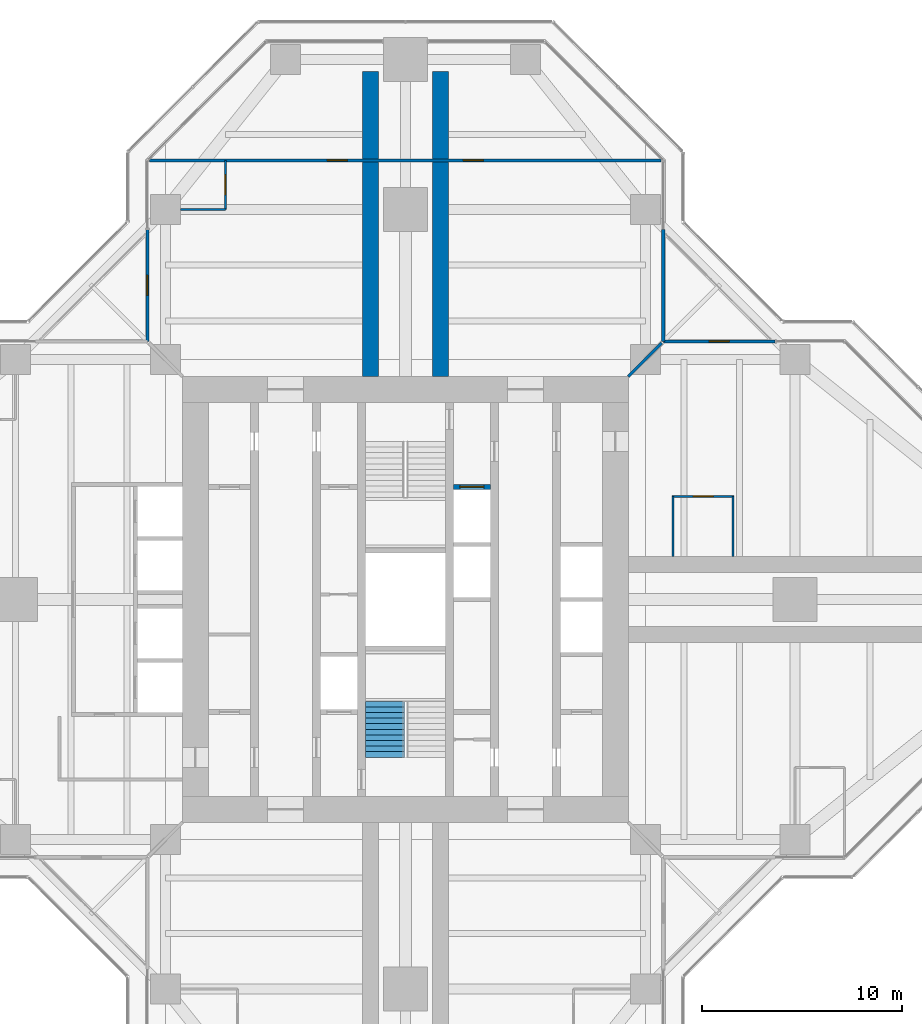
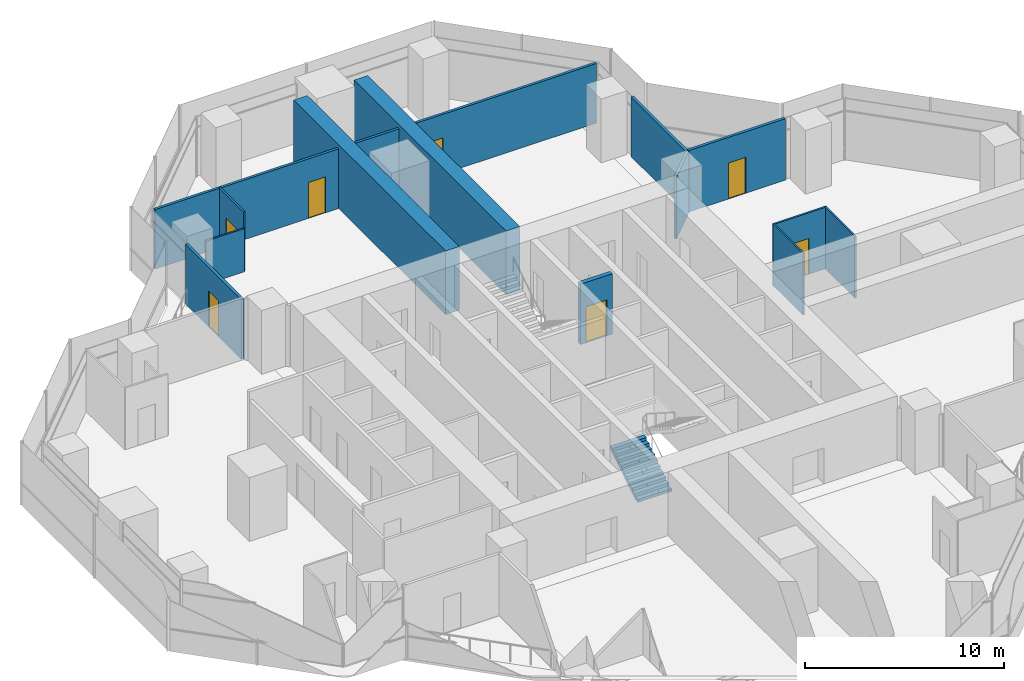
# One storey, part 15 of 17: 13 walls, 7 doors, 1 stair flight, 7 openings, 1 element without a shape of its own.
"""IFC4 building model written with IfcOpenShell, lengths in metres."""

from ifc_helpers import new_model, si_unit, direction, frame, frame_2d, origin, place, context, subcontext, project, spatial, polyline, rectangle, outline, extrude, material, layer, layer_set, type_object, element, fill, aggregate, save


model = new_model("IFC4")

# Units and contexts
model_context = context("Model", 3, precision=1e-05, world=origin(), true_north=direction((0.0, 1.0)))
body_context = subcontext(model_context, "Body", "Model", "MODEL_VIEW")
ifc_project = project(units=[si_unit("LENGTHUNIT", "METRE"), si_unit("AREAUNIT", "SQUARE_METRE"), si_unit("VOLUMEUNIT", "CUBIC_METRE"), si_unit("PLANEANGLEUNIT", "RADIAN"), si_unit("MASSUNIT", "GRAM", prefix="KILO")], contexts=[model_context])

# Site, building, storey
site_placement = place(None, origin())
site = spatial("IfcSite", under=ifc_project, at=site_placement, CompositionType="ELEMENT")
building_placement = place(site_placement, origin())
building = spatial("IfcBuilding", under=site, at=building_placement, Name="Mizan Broadcast Tower", CompositionType="ELEMENT")
storey_placement = place(building_placement, frame((0.0, 0.0, 263.39990234375)))
storey = spatial("IfcBuildingStorey", under=building, at=storey_placement, Name="L62", CompositionType="ELEMENT", Elevation=263.39990234375)

# Wall, opening, door
ifc_material_1 = material(Name="Aluminium framed glazed screen", Category="aluminium")
ifc_layer_1 = layer(ifc_material_1, 0.159912109375)
ifc_layer_set_1 = layer_set([ifc_layer_1], Name="Aluminium framed glazed screen")
wall_type_1 = type_object("IfcWallType", Name="GLAZED SCREEN WALL 160", PredefinedType="SOLIDWALL", material=ifc_layer_set_1)
wall_1_placement = place(storey_placement, frame((18.5, 12.89990234375, 0.0), z_axis=(0.0, 0.0, 1.0), x_axis=(-1.0, 0.0, 0.0)))
wall_1 = element("IfcWall", 1, at=wall_1_placement, inside=storey, type_object=wall_type_1, Name="Winter garden screen L62 E", PredefinedType="SOLIDWALL", context=body_context, shape_type="SweptSolid", body=[
    extrude(rectangle(XDim=5.60009765625, YDim=0.159912109375, at=frame_2d((2.800048828125, 0.0))), origin(), (0.0, 0.0, 1.0), 3.77001953125),
])
opening_1_placement = place(wall_1_placement, frame((2.300048828125, 0.0, 0.0)))
opening_1 = element("IfcOpeningElement", 2, at=opening_1_placement, cuts=wall_1, Name="Opening WGD", PredefinedType="OPENING", context=body_context, shape_type="SweptSolid", body=[
    extrude(rectangle(XDim=1.0, YDim=2.199951171875, at=frame_2d((0.5, 1.10009765625))), frame((0.0, 0.08984375, 0.0), z_axis=(0.0, -1.0, 0.0), x_axis=(1.0, 0.0, 0.0)), (0.0, 0.0, 1.0), 0.179931640625),
])
ifc_material_2 = material(Name="Aluminium framed glazed door", Category="aluminium")
door_type_1 = type_object("IfcDoorType", Name="WINTER GARDEN DOOR 1000 GLAZED", OperationType="SINGLE_SWING_LEFT", PredefinedType="DOOR", material=ifc_material_2)
door_1_placement = place(opening_1_placement, origin())
door_1 = element("IfcDoor", 3, at=door_1_placement, inside=storey, type_object=door_type_1, Name="Winter garden door L62 E", OperationType="SINGLE_SWING_RIGHT", OverallHeight=2.199951171875, OverallWidth=1.0, PredefinedType="DOOR", context=body_context, shape_type="SweptSolid", body=[
    extrude(rectangle(XDim=1.0, YDim=2.199951171875, at=frame_2d((0.5, 1.10009765625))), frame((0.0, 0.02490234375, 0.0), z_axis=(0.0, -1.0, 0.0), x_axis=(1.0, 0.0, 0.0)), (0.0, 0.0, 1.0), 0.050048828125),
])
fill(opening_1, door_1)

# Wall
wall_2_placement = place(storey_placement, frame((12.89990234375, 12.89990234375, 0.0), z_axis=(0.0, 0.0, 1.0), x_axis=(0.0, 1.0, 0.0)))
element("IfcWall", 4, at=wall_2_placement, inside=storey, type_object=wall_type_1, Name="Winter garden screen L62 N", PredefinedType="SOLIDWALL", context=body_context, shape_type="SweptSolid", body=[
    extrude(rectangle(XDim=5.60009765625, YDim=0.159912109375, at=frame_2d((2.800048828125, 0.0))), origin(), (0.0, 0.0, 1.0), 3.650146484375),
])

# Wall, opening, door
wall_3_placement = place(storey_placement, frame((-12.89990234375, 18.5, 0.0), z_axis=(0.0, 0.0, 1.0), x_axis=(0.0, -1.0, 0.0)))
wall_3 = element("IfcWall", 5, at=wall_3_placement, inside=storey, type_object=wall_type_1, Name="Winter garden screen L62 N", PredefinedType="SOLIDWALL", context=body_context, shape_type="SweptSolid", body=[
    extrude(rectangle(XDim=5.60009765625, YDim=0.159912109375, at=frame_2d((2.800048828125, 0.0))), origin(), (0.0, 0.0, 1.0), 3.650146484375),
])
opening_2_placement = place(wall_3_placement, frame((2.300048828125, 0.0, 0.0)))
opening_2 = element("IfcOpeningElement", 6, at=opening_2_placement, cuts=wall_3, Name="Opening WGD", PredefinedType="OPENING", context=body_context, shape_type="SweptSolid", body=[
    extrude(rectangle(XDim=1.0, YDim=2.199951171875, at=frame_2d((0.5, 1.10009765625))), frame((0.0, 0.08984375, 0.0), z_axis=(0.0, -1.0, 0.0), x_axis=(1.0, 0.0, 0.0)), (0.0, 0.0, 1.0), 0.179931640625),
])
door_2_placement = place(opening_2_placement, origin())
door_2 = element("IfcDoor", 7, at=door_2_placement, inside=storey, type_object=door_type_1, Name="Winter garden door L62 N", OperationType="SINGLE_SWING_RIGHT", OverallHeight=2.199951171875, OverallWidth=1.0, PredefinedType="DOOR", context=body_context, shape_type="SweptSolid", body=[
    extrude(rectangle(XDim=1.0, YDim=2.199951171875, at=frame_2d((0.5, 1.10009765625))), frame((0.0, 0.02490234375, 0.0), z_axis=(0.0, -1.0, 0.0), x_axis=(1.0, 0.0, 0.0)), (0.0, 0.0, 1.0), 0.050048828125),
])
fill(opening_2, door_2)

ifc_material_3 = material(Name="Concrete blockwork", Category="masonry")
ifc_layer_2 = layer(ifc_material_3, 0.25)
ifc_layer_set_2 = layer_set([ifc_layer_2], Name="Concrete blockwork")
wall_type_2 = type_object("IfcWallType", Name="LOBBY ENCLOSURE WALL 250", PredefinedType="SOLIDWALL", material=ifc_layer_set_2)
wall_4_placement = place(storey_placement, frame((2.39990234375, 5.625, 0.0), z_axis=(0.0, 0.0, 1.0), x_axis=(1.0, 0.0, 0.0)))
wall_4 = element("IfcWall", 8, at=wall_4_placement, inside=storey, type_object=wall_type_2, Name="Lobby enclosure wall CORE/BE2N", PredefinedType="SOLIDWALL", context=body_context, shape_type="SweptSolid", body=[
    extrude(rectangle(XDim=1.85009765625, YDim=0.25, at=frame_2d((0.925048828125, 0.0))), origin(), (0.0, 0.0, 1.0), 3.7001953125),
])
opening_3_placement = place(wall_4_placement, frame((0.324951171875, 0.0, 0.0)))
opening_3 = element("IfcOpeningElement", 9, at=opening_3_placement, cuts=wall_4, Name="Opening LDF", PredefinedType="OPENING", context=body_context, shape_type="SweptSolid", body=[
    extrude(rectangle(XDim=1.199951171875, YDim=2.199951171875, at=frame_2d((0.60009765625, 1.10009765625))), frame((0.0, 0.135009765625, 0.0), z_axis=(0.0, -1.0, 0.0), x_axis=(1.0, 0.0, 0.0)), (0.0, 0.0, 1.0), 0.27001953125),
])
ifc_material_4 = material(Name="Steel door leaf in steel frame", Category="steel")
door_type_2 = type_object("IfcDoorType", Name="FIREFIGHTING LIFT LANDING DOOR 1200", OperationType="SLIDING_TO_LEFT", PredefinedType="DOOR", material=ifc_material_4)
door_3_placement = place(opening_3_placement, origin())
door_3 = element("IfcDoor", 10, at=door_3_placement, inside=storey, type_object=door_type_2, Name="Landing door FF2", OperationType="SLIDING_TO_LEFT", OverallHeight=2.199951171875, OverallWidth=1.199951171875, PredefinedType="DOOR", context=body_context, shape_type="SweptSolid", body=[
    extrude(rectangle(XDim=1.199951171875, YDim=2.199951171875, at=frame_2d((0.60009765625, 1.10009765625))), frame((0.0, 0.02490234375, 0.0), z_axis=(0.0, -1.0, 0.0), x_axis=(1.0, 0.0, 0.0)), (0.0, 0.0, 1.0), 0.050048828125),
])
fill(opening_3, door_3)

# Wall, openings, doors
ifc_material_5 = material(Name="Gypsum board on steel studs", Category="steel")
ifc_layer_3 = layer(ifc_material_5, 0.14990234375)
ifc_layer_set_3 = layer_set([ifc_layer_3], Name="Gypsum board on steel studs")
wall_type_3 = type_object("IfcWallType", Name="PARTITION 150", PredefinedType="PARTITIONING", material=ifc_layer_set_3)
wall_5_placement = place(storey_placement, frame((12.786376953125, 21.958984375, 0.0), z_axis=(0.0, 0.0, 1.0), x_axis=(-1.0, 0.0, 0.0)))
wall_5 = element("IfcWall", 11, at=wall_5_placement, inside=storey, type_object=wall_type_3, Name="Partition PT/NX1", PredefinedType="PARTITIONING", context=body_context, shape_type="SweptSolid", body=[
    extrude(rectangle(XDim=25.57275390625, YDim=0.14990234375, at=frame_2d((12.786376953125, 0.0))), origin(), (0.0, 0.0, 1.0), 3.650146484375),
])
opening_4_placement = place(wall_5_placement, frame((15.6865234375, 0.0, 0.0)))
opening_4 = element("IfcOpeningElement", 12, at=opening_4_placement, cuts=wall_5, Name="Opening D10", PredefinedType="OPENING", context=body_context, shape_type="SweptSolid", body=[
    extrude(rectangle(XDim=1.0, YDim=2.199951171875, at=frame_2d((0.5, 1.10009765625))), frame((0.0, 0.0849609375, 0.0), z_axis=(0.0, -1.0, 0.0), x_axis=(1.0, 0.0, 0.0)), (0.0, 0.0, 1.0), 0.169921875),
])
opening_5_placement = place(wall_5_placement, frame((8.886474609375, 0.0, 0.0)))
opening_5 = element("IfcOpeningElement", 13, at=opening_5_placement, cuts=wall_5, Name="Opening D10", PredefinedType="OPENING", context=body_context, shape_type="SweptSolid", body=[
    extrude(rectangle(XDim=1.0, YDim=2.199951171875, at=frame_2d((0.5, 1.10009765625))), frame((0.0, 0.0849609375, 0.0), z_axis=(0.0, -1.0, 0.0), x_axis=(1.0, 0.0, 0.0)), (0.0, 0.0, 1.0), 0.169921875),
])
ifc_material_6 = material(Name="Timber door leaf in aluminium frame", Category="wood")
door_type_3 = type_object("IfcDoorType", Name="ROOM DOOR 1000", OperationType="SINGLE_SWING_LEFT", PredefinedType="DOOR", material=ifc_material_6)
door_4_placement = place(opening_4_placement, origin())
door_4 = element("IfcDoor", 14, at=door_4_placement, inside=storey, type_object=door_type_3, Name="Open office door", OperationType="SINGLE_SWING_RIGHT", OverallHeight=2.199951171875, OverallWidth=1.0, PredefinedType="DOOR", context=body_context, shape_type="SweptSolid", body=[
    extrude(rectangle(XDim=1.0, YDim=2.199951171875, at=frame_2d((0.5, 1.10009765625))), frame((0.0, 0.02490234375, 0.0), z_axis=(0.0, -1.0, 0.0), x_axis=(1.0, 0.0, 0.0)), (0.0, 0.0, 1.0), 0.050048828125),
])
fill(opening_4, door_4)
door_5_placement = place(opening_5_placement, origin())
door_5 = element("IfcDoor", 15, at=door_5_placement, inside=storey, type_object=door_type_3, Name="Open office door", OperationType="SINGLE_SWING_LEFT", OverallHeight=2.199951171875, OverallWidth=1.0, PredefinedType="DOOR", context=body_context, shape_type="SweptSolid", body=[
    extrude(rectangle(XDim=1.0, YDim=2.199951171875, at=frame_2d((0.5, 1.10009765625))), frame((0.0, 0.02490234375, 0.0), z_axis=(0.0, -1.0, 0.0), x_axis=(1.0, 0.0, 0.0)), (0.0, 0.0, 1.0), 0.050048828125),
])
fill(opening_5, door_5)

# Walls
wall_6_placement = place(storey_placement, frame((11.14990234375, 11.14990234375, 0.0), z_axis=(0.0, 0.0, 1.0), x_axis=(0.707106781187, 0.707106781187, 0.0)))
element("IfcWall", 16, at=wall_6_placement, inside=storey, type_object=wall_type_3, Name="Partition PT/DGEN", PredefinedType="PARTITIONING", context=body_context, shape_type="SweptSolid", body=[
    extrude(rectangle(XDim=2.362060546875, YDim=0.14990234375, at=frame_2d((1.18115234375, 0.0))), origin(), (0.0, 0.0, 1.0), 3.77001953125),
])
ifc_material_7 = material(Name="Glazed aluminium partition on aluminium track", Category="aluminium")
ifc_layer_4 = layer(ifc_material_7, 0.10009765625)
ifc_layer_set_4 = layer_set([ifc_layer_4], Name="Glazed aluminium partition on aluminium track")
wall_type_4 = type_object("IfcWallType", Name="PARTITION GLAZED OFFICE FRONT 100", PredefinedType="PARTITIONING", material=ifc_layer_set_4)
for number, where, z_axis, x_axis, name in (
    (17, (13.39990234375, 2.14990234375, 0.0), (0.0, 0.0, 1.0), (0.0, 1.0, 0.0), "Glazed office front PT/EKP0a"),
    (18, (16.39990234375, 2.14990234375, 0.0), (0.0, 0.0, 1.0), (0.0, 1.0, 0.0), "Glazed office front PT/EKP0b"),
):
    element("IfcWall", number, at=place(storey_placement, frame(where, z_axis=z_axis, x_axis=x_axis)), inside=storey, type_object=wall_type_4, Name=name, PredefinedType="PARTITIONING", context=body_context, shape_type="SweptSolid", body=[
        extrude(rectangle(XDim=3.0, YDim=0.10009765625, at=frame_2d((1.5, 0.0))), origin(), (0.0, 0.0, 1.0), 3.77001953125),
    ])

# Wall, opening, door
wall_7_placement = place(storey_placement, frame((13.35009765625, 5.14990234375, 0.0), z_axis=(0.0, 0.0, 1.0), x_axis=(1.0, 0.0, 0.0)))
wall_7 = element("IfcWall", 19, at=wall_7_placement, inside=storey, type_object=wall_type_4, Name="Glazed office front PT/EKP0f", PredefinedType="PARTITIONING", context=body_context, shape_type="SweptSolid", body=[
    extrude(rectangle(XDim=3.099853515625, YDim=0.10009765625, at=frame_2d((1.5498046875, 0.0))), origin(), (0.0, 0.0, 1.0), 3.77001953125),
])
opening_6_placement = place(wall_7_placement, frame((1.050048828125, 0.0, 0.0)))
opening_6 = element("IfcOpeningElement", 20, at=opening_6_placement, cuts=wall_7, Name="Opening D10O", PredefinedType="OPENING", context=body_context, shape_type="SweptSolid", body=[
    extrude(rectangle(XDim=1.0, YDim=2.199951171875, at=frame_2d((0.5, 1.10009765625))), frame((0.0, 0.06005859375, 0.0), z_axis=(0.0, -1.0, 0.0), x_axis=(1.0, 0.0, 0.0)), (0.0, 0.0, 1.0), 0.1201171875),
])
ifc_material_8 = material(Name="Timber door leaf in aluminium frame", Category="wood")
door_type_4 = type_object("IfcDoorType", Name="OFFICE DOOR 1000 GLAZED", OperationType="SINGLE_SWING_LEFT", PredefinedType="DOOR", material=ifc_material_8)
door_6_placement = place(opening_6_placement, origin())
door_6 = element("IfcDoor", 21, at=door_6_placement, inside=storey, type_object=door_type_4, Name="Pantry door", OperationType="SINGLE_SWING_LEFT", OverallHeight=2.199951171875, OverallWidth=1.0, PredefinedType="DOOR", context=body_context, shape_type="SweptSolid", body=[
    extrude(rectangle(XDim=1.0, YDim=2.199951171875, at=frame_2d((0.5, 1.10009765625))), frame((0.0, 0.02490234375, 0.0), z_axis=(0.0, -1.0, 0.0), x_axis=(1.0, 0.0, 0.0)), (0.0, 0.0, 1.0), 0.050048828125),
])
fill(opening_6, door_6)

wall_8_placement = place(storey_placement, frame((-9.0, 19.5, 0.0), z_axis=(0.0, 0.0, 1.0), x_axis=(0.0, 1.0, 0.0)))
wall_8 = element("IfcWall", 22, at=wall_8_placement, inside=storey, type_object=wall_type_4, Name="Glazed office front PT/NCP0", PredefinedType="PARTITIONING", context=body_context, shape_type="SweptSolid", body=[
    extrude(rectangle(XDim=2.458984375, YDim=0.10009765625, at=frame_2d((1.2294921875, 0.0))), origin(), (0.0, 0.0, 1.0), 3.650146484375),
])
opening_7_placement = place(wall_8_placement, frame((0.7294921875, 0.0, 0.0)))
opening_7 = element("IfcOpeningElement", 23, at=opening_7_placement, cuts=wall_8, Name="Opening D10O", PredefinedType="OPENING", context=body_context, shape_type="SweptSolid", body=[
    extrude(rectangle(XDim=1.0, YDim=2.199951171875, at=frame_2d((0.5, 1.10009765625))), frame((0.0, 0.06005859375, 0.0), z_axis=(0.0, -1.0, 0.0), x_axis=(1.0, 0.0, 0.0)), (0.0, 0.0, 1.0), 0.1201171875),
])
door_7_placement = place(opening_7_placement, origin())
door_7 = element("IfcDoor", 24, at=door_7_placement, inside=storey, type_object=door_type_4, Name="Office door", OperationType="SINGLE_SWING_LEFT", OverallHeight=2.199951171875, OverallWidth=1.0, PredefinedType="DOOR", context=body_context, shape_type="SweptSolid", body=[
    extrude(rectangle(XDim=1.0, YDim=2.199951171875, at=frame_2d((0.5, 1.10009765625))), frame((0.0, 0.02490234375, 0.0), z_axis=(0.0, -1.0, 0.0), x_axis=(1.0, 0.0, 0.0)), (0.0, 0.0, 1.0), 0.050048828125),
])
fill(opening_7, door_7)

# Walls
wall_9_placement = place(storey_placement, frame((-9.0, 19.5, 0.0), z_axis=(0.0, 0.0, 1.0), x_axis=(-1.0, 0.0, 0.0)))
element("IfcWall", 25, at=wall_9_placement, inside=storey, type_object=wall_type_4, Name="Glazed office front PT/NQP1950", PredefinedType="PARTITIONING", context=body_context, shape_type="SweptSolid", body=[
    extrude(rectangle(XDim=2.25, YDim=0.10009765625, at=frame_2d((1.125, 0.0))), origin(), (0.0, 0.0, 1.0), 2.650146484375),
])
ifc_material_9 = material(Name="Concrete C70/85", Category="concrete")
ifc_layer_5 = layer(ifc_material_9, 0.800048828125)
ifc_layer_set_5 = layer_set([ifc_layer_5], Name="Concrete C70/85")
wall_type_5 = type_object("IfcWallType", Name="SPINE WALL 800", PredefinedType="SHEAR", material=ifc_layer_set_5)
for number, where, z_axis, x_axis, name in (
    (26, (1.75, 11.14990234375, 0.0), (0.0, 0.0, 1.0), (0.0, 1.0, 0.0), "Spine wall NR L62"),
    (27, (-1.75, 11.14990234375, 0.0), (0.0, 0.0, 1.0), (0.0, 1.0, 0.0), "Spine wall NL L62"),
):
    element("IfcWall", number, at=place(storey_placement, frame(where, z_axis=z_axis, x_axis=x_axis)), inside=storey, type_object=wall_type_5, Name=name, PredefinedType="SHEAR", context=body_context, shape_type="SweptSolid", body=[
        extrude(rectangle(XDim=15.25, YDim=0.800048828125, at=frame_2d((7.625, 0.0))), origin(), (0.0, 0.0, 1.0), 3.900146484375),
    ])

# Stair, stair flight
ifc_material_10 = material(Name="Concrete C40/50", Category="concrete")
stair_type = type_object("IfcStairType", Name="EXIT STAIR", PredefinedType="HALF_TURN_STAIR", material=ifc_material_10)
stair_placement = place(storey_placement, origin())
stair = element("IfcStair", 28, at=stair_placement, inside=storey, type_object=stair_type, Name="Stair A L62", PredefinedType="HALF_TURN_STAIR")
ifc_material_11 = material(Name="Concrete C40/50", Category="concrete")
stair_flight_type = type_object("IfcStairFlightType", Name="EXIT STAIR FLIGHT", PredefinedType="STRAIGHT", material=ifc_material_11)
stair_flight_placement = place(storey_placement, frame((-1.02490234375, -7.89990234375, 0.0), z_axis=(0.0, 0.0, 1.0), x_axis=(0.0, 1.0, 0.0)))
stair_flight = element("IfcStairFlight", 29, at=stair_flight_placement, type_object=stair_flight_type, Name="A flight 1", NumberOfRisers=11, NumberOfTreads=10, PredefinedType="STRAIGHT", RiserHeight=0.177272727, TreadLength=0.28, context=body_context, shape_type="SweptSolid", body=[
    extrude(outline(polyline([(0.0, 0.0), (0.0, 0.17724609375), (0.280029296875, 0.17724609375), (0.280029296875, 0.3544921875), (0.56005859375, 0.3544921875), (0.56005859375, 0.53173828125), (0.840087890625, 0.53173828125), (0.840087890625, 0.708984375), (1.1201171875, 0.708984375), (1.1201171875, 0.886474609375), (1.39990234375, 0.886474609375), (1.39990234375, 1.063720703125), (1.679931640625, 1.063720703125), (1.679931640625, 1.240966796875), (1.9599609375, 1.240966796875), (1.9599609375, 1.418212890625), (2.239990234375, 1.418212890625), (2.239990234375, 1.595458984375), (2.52001953125, 1.595458984375), (2.52001953125, 1.772705078125), (2.800048828125, 1.772705078125), (2.800048828125, 1.949951171875), (2.800048828125, 1.59521484375), (0.2802734375, 0.0), (0.0, 0.0)])), frame((0.0, 0.97509765625, 0.0), z_axis=(0.0, -1.0, 0.0), x_axis=(1.0, 0.0, 0.0)), (0.0, 0.0, 1.0), 0.4873046875),
    extrude(outline(polyline([(0.0, 0.0), (0.0, 0.17724609375), (0.280029296875, 0.17724609375), (0.280029296875, 0.3544921875), (0.56005859375, 0.3544921875), (0.56005859375, 0.53173828125), (0.840087890625, 0.53173828125), (0.840087890625, 0.708984375), (1.1201171875, 0.708984375), (1.1201171875, 0.886474609375), (1.39990234375, 0.886474609375), (1.39990234375, 1.063720703125), (1.679931640625, 1.063720703125), (1.679931640625, 1.240966796875), (1.9599609375, 1.240966796875), (1.9599609375, 1.418212890625), (2.239990234375, 1.418212890625), (2.239990234375, 1.595458984375), (2.52001953125, 1.595458984375), (2.52001953125, 1.772705078125), (2.800048828125, 1.772705078125), (2.800048828125, 1.949951171875), (2.800048828125, 1.59521484375), (0.2802734375, 0.0), (0.0, 0.0)])), frame((0.0, 0.4873046875, 0.0), z_axis=(0.0, -1.0, 0.0), x_axis=(1.0, 0.0, 0.0)), (0.0, 0.0, 1.0), 0.2431640625),
    extrude(outline(polyline([(0.0, 0.0), (0.0, 0.17724609375), (0.280029296875, 0.17724609375), (0.280029296875, 0.3544921875), (0.56005859375, 0.3544921875), (0.56005859375, 0.53173828125), (0.840087890625, 0.53173828125), (0.840087890625, 0.708984375), (1.1201171875, 0.708984375), (1.1201171875, 0.886474609375), (1.39990234375, 0.886474609375), (1.39990234375, 1.063720703125), (1.679931640625, 1.063720703125), (1.679931640625, 1.240966796875), (1.9599609375, 1.240966796875), (1.9599609375, 1.418212890625), (2.239990234375, 1.418212890625), (2.239990234375, 1.595458984375), (2.52001953125, 1.595458984375), (2.52001953125, 1.772705078125), (2.800048828125, 1.772705078125), (2.800048828125, 1.949951171875), (2.800048828125, 1.59521484375), (0.2802734375, 0.0), (0.0, 0.0)])), frame((0.0, 0.24365234375, 0.0), z_axis=(0.0, -1.0, 0.0), x_axis=(1.0, 0.0, 0.0)), (0.0, 0.0, 1.0), 0.121337890625),
    extrude(outline(polyline([(0.0, 0.0), (0.0, 0.17724609375), (0.280029296875, 0.17724609375), (0.280029296875, 0.3544921875), (0.56005859375, 0.3544921875), (0.56005859375, 0.53173828125), (0.840087890625, 0.53173828125), (0.840087890625, 0.708984375), (1.1201171875, 0.708984375), (1.1201171875, 0.886474609375), (1.39990234375, 0.886474609375), (1.39990234375, 1.063720703125), (1.679931640625, 1.063720703125), (1.679931640625, 1.240966796875), (1.9599609375, 1.240966796875), (1.9599609375, 1.418212890625), (2.239990234375, 1.418212890625), (2.239990234375, 1.595458984375), (2.52001953125, 1.595458984375), (2.52001953125, 1.772705078125), (2.800048828125, 1.772705078125), (2.800048828125, 1.949951171875), (2.800048828125, 1.59521484375), (0.2802734375, 0.0), (0.0, 0.0)])), frame((0.0, 0.121826171875, 0.0), z_axis=(0.0, -1.0, 0.0), x_axis=(1.0, 0.0, 0.0)), (0.0, 0.0, 1.0), 0.060546875),
    extrude(outline(polyline([(0.0, 0.0), (0.0, 0.17724609375), (0.280029296875, 0.17724609375), (0.280029296875, 0.3544921875), (0.56005859375, 0.3544921875), (0.56005859375, 0.53173828125), (0.840087890625, 0.53173828125), (0.840087890625, 0.708984375), (1.1201171875, 0.708984375), (1.1201171875, 0.886474609375), (1.39990234375, 0.886474609375), (1.39990234375, 1.063720703125), (1.679931640625, 1.063720703125), (1.679931640625, 1.240966796875), (1.9599609375, 1.240966796875), (1.9599609375, 1.418212890625), (2.239990234375, 1.418212890625), (2.239990234375, 1.595458984375), (2.52001953125, 1.595458984375), (2.52001953125, 1.772705078125), (2.800048828125, 1.772705078125), (2.800048828125, 1.949951171875), (2.800048828125, 1.59521484375), (0.2802734375, 0.0), (0.0, 0.0)])), frame((0.0, 0.060791015625, 0.0), z_axis=(0.0, -1.0, 0.0), x_axis=(1.0, 0.0, 0.0)), (0.0, 0.0, 1.0), 0.030029296875),
    extrude(outline(polyline([(0.0, 0.0), (0.0, 0.17724609375), (0.280029296875, 0.17724609375), (0.280029296875, 0.3544921875), (0.56005859375, 0.3544921875), (0.56005859375, 0.53173828125), (0.840087890625, 0.53173828125), (0.840087890625, 0.708984375), (1.1201171875, 0.708984375), (1.1201171875, 0.886474609375), (1.39990234375, 0.886474609375), (1.39990234375, 1.063720703125), (1.679931640625, 1.063720703125), (1.679931640625, 1.240966796875), (1.9599609375, 1.240966796875), (1.9599609375, 1.418212890625), (2.239990234375, 1.418212890625), (2.239990234375, 1.595458984375), (2.52001953125, 1.595458984375), (2.52001953125, 1.772705078125), (2.800048828125, 1.772705078125), (2.800048828125, 1.949951171875), (2.800048828125, 1.59521484375), (0.2802734375, 0.0), (0.0, 0.0)])), frame((0.0, 0.0302734375, 0.0), z_axis=(0.0, -1.0, 0.0), x_axis=(1.0, 0.0, 0.0)), (0.0, 0.0, 1.0), 0.060302734375),
    extrude(outline(polyline([(0.0, 0.0), (0.0, 0.17724609375), (0.280029296875, 0.17724609375), (0.280029296875, 0.3544921875), (0.56005859375, 0.3544921875), (0.56005859375, 0.53173828125), (0.840087890625, 0.53173828125), (0.840087890625, 0.708984375), (1.1201171875, 0.708984375), (1.1201171875, 0.886474609375), (1.39990234375, 0.886474609375), (1.39990234375, 1.063720703125), (1.679931640625, 1.063720703125), (1.679931640625, 1.240966796875), (1.9599609375, 1.240966796875), (1.9599609375, 1.418212890625), (2.239990234375, 1.418212890625), (2.239990234375, 1.595458984375), (2.52001953125, 1.595458984375), (2.52001953125, 1.772705078125), (2.800048828125, 1.772705078125), (2.800048828125, 1.949951171875), (2.800048828125, 1.59521484375), (0.2802734375, 0.0), (0.0, 0.0)])), frame((0.0, -0.030517578125, 0.0), z_axis=(0.0, -1.0, 0.0), x_axis=(1.0, 0.0, 0.0)), (0.0, 0.0, 1.0), 0.030029296875),
    extrude(outline(polyline([(0.0, 0.0), (0.0, 0.17724609375), (0.280029296875, 0.17724609375), (0.280029296875, 0.3544921875), (0.56005859375, 0.3544921875), (0.56005859375, 0.53173828125), (0.840087890625, 0.53173828125), (0.840087890625, 0.708984375), (1.1201171875, 0.708984375), (1.1201171875, 0.886474609375), (1.39990234375, 0.886474609375), (1.39990234375, 1.063720703125), (1.679931640625, 1.063720703125), (1.679931640625, 1.240966796875), (1.9599609375, 1.240966796875), (1.9599609375, 1.418212890625), (2.239990234375, 1.418212890625), (2.239990234375, 1.595458984375), (2.52001953125, 1.595458984375), (2.52001953125, 1.772705078125), (2.800048828125, 1.772705078125), (2.800048828125, 1.949951171875), (2.800048828125, 1.59521484375), (0.2802734375, 0.0), (0.0, 0.0)])), frame((0.0, -0.06103515625, 0.0), z_axis=(0.0, -1.0, 0.0), x_axis=(1.0, 0.0, 0.0)), (0.0, 0.0, 1.0), 0.060546875),
    extrude(outline(polyline([(0.0, 0.0), (0.0, 0.17724609375), (0.280029296875, 0.17724609375), (0.280029296875, 0.3544921875), (0.56005859375, 0.3544921875), (0.56005859375, 0.53173828125), (0.840087890625, 0.53173828125), (0.840087890625, 0.708984375), (1.1201171875, 0.708984375), (1.1201171875, 0.886474609375), (1.39990234375, 0.886474609375), (1.39990234375, 1.063720703125), (1.679931640625, 1.063720703125), (1.679931640625, 1.240966796875), (1.9599609375, 1.240966796875), (1.9599609375, 1.418212890625), (2.239990234375, 1.418212890625), (2.239990234375, 1.595458984375), (2.52001953125, 1.595458984375), (2.52001953125, 1.772705078125), (2.800048828125, 1.772705078125), (2.800048828125, 1.949951171875), (2.800048828125, 1.59521484375), (0.2802734375, 0.0), (0.0, 0.0)])), frame((0.0, -0.1220703125, 0.0), z_axis=(0.0, -1.0, 0.0), x_axis=(1.0, 0.0, 0.0)), (0.0, 0.0, 1.0), 0.121337890625),
    extrude(outline(polyline([(0.0, 0.0), (0.0, 0.17724609375), (0.280029296875, 0.17724609375), (0.280029296875, 0.3544921875), (0.56005859375, 0.3544921875), (0.56005859375, 0.53173828125), (0.840087890625, 0.53173828125), (0.840087890625, 0.708984375), (1.1201171875, 0.708984375), (1.1201171875, 0.886474609375), (1.39990234375, 0.886474609375), (1.39990234375, 1.063720703125), (1.679931640625, 1.063720703125), (1.679931640625, 1.240966796875), (1.9599609375, 1.240966796875), (1.9599609375, 1.418212890625), (2.239990234375, 1.418212890625), (2.239990234375, 1.595458984375), (2.52001953125, 1.595458984375), (2.52001953125, 1.772705078125), (2.800048828125, 1.772705078125), (2.800048828125, 1.949951171875), (2.800048828125, 1.59521484375), (0.2802734375, 0.0), (0.0, 0.0)])), frame((0.0, -0.243896484375, 0.0), z_axis=(0.0, -1.0, 0.0), x_axis=(1.0, 0.0, 0.0)), (0.0, 0.0, 1.0), 0.2431640625),
    extrude(outline(polyline([(0.0, 0.0), (0.0, 0.17724609375), (0.280029296875, 0.17724609375), (0.280029296875, 0.3544921875), (0.56005859375, 0.3544921875), (0.56005859375, 0.53173828125), (0.840087890625, 0.53173828125), (0.840087890625, 0.708984375), (1.1201171875, 0.708984375), (1.1201171875, 0.886474609375), (1.39990234375, 0.886474609375), (1.39990234375, 1.063720703125), (1.679931640625, 1.063720703125), (1.679931640625, 1.240966796875), (1.9599609375, 1.240966796875), (1.9599609375, 1.418212890625), (2.239990234375, 1.418212890625), (2.239990234375, 1.595458984375), (2.52001953125, 1.595458984375), (2.52001953125, 1.772705078125), (2.800048828125, 1.772705078125), (2.800048828125, 1.949951171875), (2.800048828125, 1.59521484375), (0.2802734375, 0.0), (0.0, 0.0)])), frame((0.0, -0.487548828125, 0.0), z_axis=(0.0, -1.0, 0.0), x_axis=(1.0, 0.0, 0.0)), (0.0, 0.0, 1.0), 0.4873046875),
])
aggregate(stair, [stair_flight])

save(model, "model.ifc")
